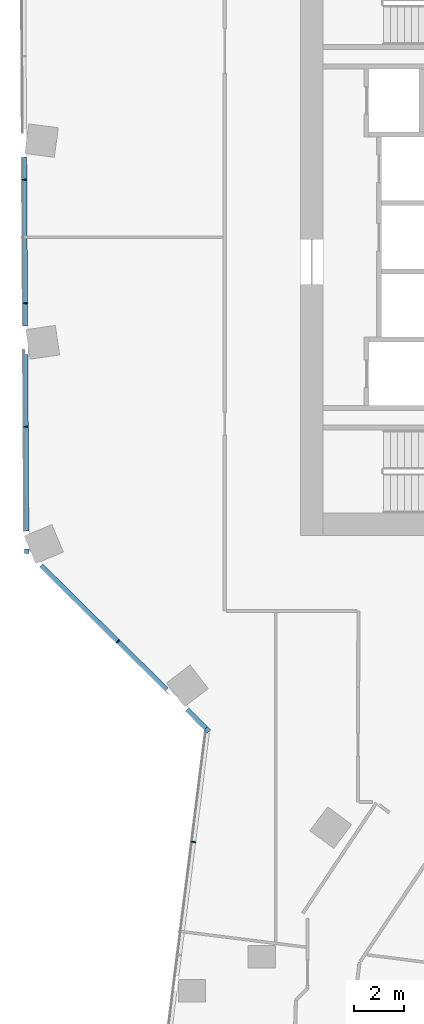
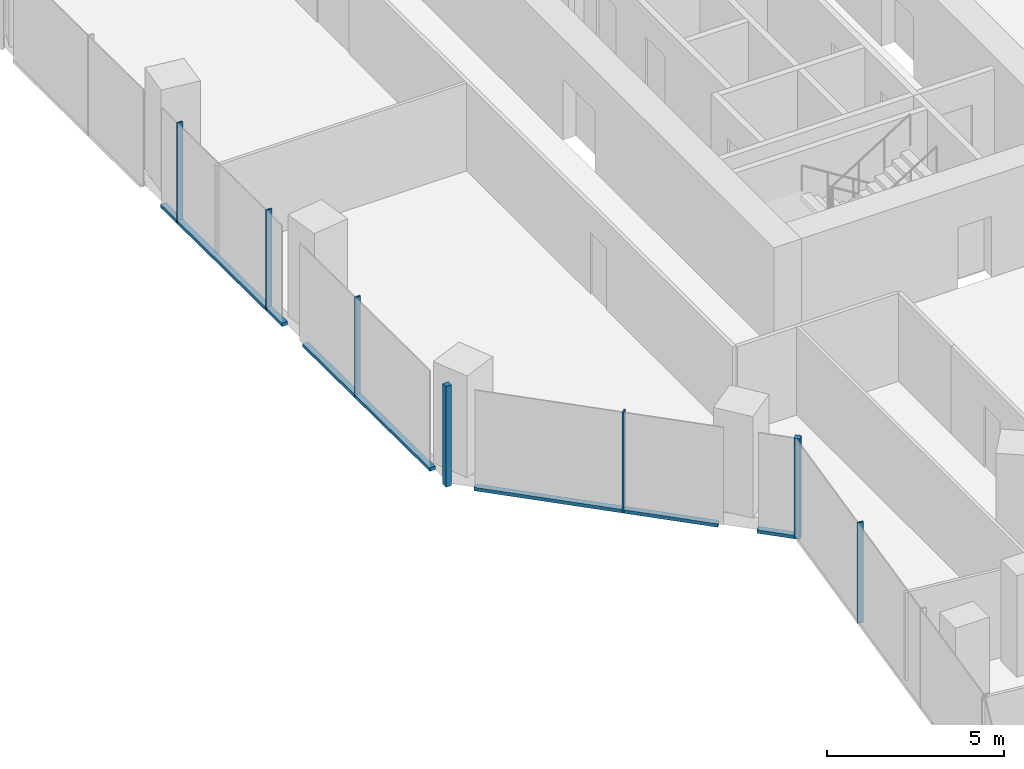
# One storey, part 6 of 27: 11 members, 3 elements without a shape of their own.
"""IFC4 building model written with IfcOpenShell, lengths in metres."""

from ifc_helpers import new_model, si_unit, direction, frame, origin, origin_2d, place, context, subcontext, project, spatial, rectangle, extrude, material, material_profile, profile_set, type_object, element, aggregate, save


model = new_model("IFC4")

# Units and contexts
model_context = context("Model", 3, precision=1e-05, world=origin(), true_north=direction((0.0, 1.0)))
body_context = subcontext(model_context, "Body", "Model", "MODEL_VIEW")
ifc_project = project(units=[si_unit("LENGTHUNIT", "METRE"), si_unit("AREAUNIT", "SQUARE_METRE"), si_unit("VOLUMEUNIT", "CUBIC_METRE"), si_unit("PLANEANGLEUNIT", "RADIAN"), si_unit("MASSUNIT", "GRAM", prefix="KILO")], contexts=[model_context])

# Site, building, storey
site_placement = place(None, origin())
site = spatial("IfcSite", under=ifc_project, at=site_placement, CompositionType="ELEMENT")
building_placement = place(site_placement, origin())
building = spatial("IfcBuilding", under=site, at=building_placement, Name="Orlundy Tower", CompositionType="ELEMENT")
storey_placement = place(building_placement, frame((0.0, 0.0, 199.10009765625)))
storey = spatial("IfcBuildingStorey", under=building, at=storey_placement, Name="L52", CompositionType="ELEMENT", Elevation=199.10009765625)

# Curtain wall, member
ifc_material_1 = material(Name="Aluminium bronze anodised", Category="aluminium")
curtain_wall_type = type_object("IfcCurtainWallType", Name="CW1 wall", PredefinedType="NOTDEFINED", material=ifc_material_1)
curtain_wall_1_placement = place(storey_placement, origin())
curtain_wall_1 = element("IfcCurtainWall", 1, at=curtain_wall_1_placement, inside=storey, type_object=curtain_wall_type, Name="CW1 run 01", PredefinedType="NOTDEFINED")
ifc_material_2 = material(Name="Aluminium bronze anodised", Category="aluminium")
ifc_material_profile_1 = material_profile(ifc_material_2, rectangle(XDim=0.179931640625, YDim=0.179931640625, at=origin_2d()), Name="CW1 corner post 180x180")
ifc_profile_set_1 = profile_set([ifc_material_profile_1], Name="Aluminium bronze anodised")
member_type_1 = type_object("IfcMemberType", Name="CW1 corner post 180x180", PredefinedType="MULLION", material=ifc_profile_set_1)
member_1_placement = place(storey_placement, frame((-22.741943359375, -19.829833984375, -0.420166015625), z_axis=(0.0, 0.0, 1.0), x_axis=(-0.702991811789, -0.711197941896, 0.0)))
member_1 = element("IfcMember", 2, at=member_1_placement, type_object=member_type_1, Name="CW1 mullion 7", PredefinedType="MULLION", context=body_context, shape_type="SweptSolid", body=[
    extrude(rectangle(XDim=0.179931640625, YDim=0.179931640625, at=origin_2d()), origin(), (0.0, 0.0, 1.0), 3.469970703125),
])

curtain_wall_2_placement = place(storey_placement, origin())
curtain_wall_2 = element("IfcCurtainWall", 3, at=curtain_wall_2_placement, inside=storey, type_object=curtain_wall_type, Name="CW1 run 02", PredefinedType="NOTDEFINED")
member_2_placement = place(storey_placement, frame((-30.016845703125, -12.638916015625, -0.420166015625), z_axis=(0.0, 0.0, 1.0), x_axis=(-0.999982980873, -0.005834206419, 0.0)))
member_2 = element("IfcMember", 4, at=member_2_placement, type_object=member_type_1, Name="CW1 mullion 9", PredefinedType="MULLION", context=body_context, shape_type="SweptSolid", body=[
    extrude(rectangle(XDim=0.179931640625, YDim=0.179931640625, at=origin_2d()), origin(), (0.0, 0.0, 1.0), 3.469970703125),
])

curtain_wall_3_placement = place(storey_placement, origin())
curtain_wall_3 = element("IfcCurtainWall", 5, at=curtain_wall_3_placement, inside=storey, type_object=curtain_wall_type, Name="CW1 run 00", PredefinedType="NOTDEFINED")
ifc_material_3 = material(Name="Aluminium bronze anodised", Category="aluminium")
ifc_material_profile_2 = material_profile(ifc_material_3, rectangle(XDim=0.179931640625, YDim=0.050048828125, at=origin_2d()), Name="CW1 mullion 50x180")
ifc_profile_set_2 = profile_set([ifc_material_profile_2], Name="Aluminium bronze anodised")
member_type_2 = type_object("IfcMemberType", Name="CW1 mullion 50x180", PredefinedType="MULLION", material=ifc_profile_set_2)
member_3_placement = place(storey_placement, frame((-23.308837890625, -24.338623046875, -0.420166015625), z_axis=(0.0, 0.0, 1.0), x_axis=(-0.992186526754, 0.124763360518, 0.0)))
member_3 = element("IfcMember", 6, at=member_3_placement, type_object=member_type_2, Name="CW1 mullion 6", PredefinedType="MULLION", context=body_context, shape_type="SweptSolid", body=[
    extrude(rectangle(XDim=0.179931640625, YDim=0.050048828125, at=origin_2d()), origin(), (0.0, 0.0, 1.0), 3.469970703125),
])
aggregate(curtain_wall_3, [member_3])

# Member
member_4_placement = place(storey_placement, frame((-26.350341796875, -16.262939453125, -0.420166015625), z_axis=(0.0, 0.0, 1.0), x_axis=(-0.702991811789, -0.711197941896, 0.0)))
member_4 = element("IfcMember", 7, at=member_4_placement, type_object=member_type_2, Name="CW1 mullion 8", PredefinedType="MULLION", context=body_context, shape_type="SweptSolid", body=[
    extrude(rectangle(XDim=0.179931640625, YDim=0.050048828125, at=origin_2d()), origin(), (0.0, 0.0, 1.0), 3.469970703125),
])

member_5_placement = place(storey_placement, frame((-30.0458984375, -7.630859375, -0.420166015625), z_axis=(0.0, 0.0, 1.0), x_axis=(-0.999982980873, -0.005834206419, 0.0)))
member_5 = element("IfcMember", 8, at=member_5_placement, type_object=member_type_2, Name="CW1 mullion 10", PredefinedType="MULLION", context=body_context, shape_type="SweptSolid", body=[
    extrude(rectangle(XDim=0.179931640625, YDim=0.050048828125, at=origin_2d()), origin(), (0.0, 0.0, 1.0), 3.469970703125),
])

member_6_placement = place(storey_placement, frame((-30.074951171875, -2.660400390625, -0.420166015625), z_axis=(0.0, 0.0, 1.0), x_axis=(-0.999982980873, -0.005834206419, 0.0)))
member_6 = element("IfcMember", 9, at=member_6_placement, type_object=member_type_2, Name="CW1 mullion 11", PredefinedType="MULLION", context=body_context, shape_type="SweptSolid", body=[
    extrude(rectangle(XDim=0.179931640625, YDim=0.050048828125, at=origin_2d()), origin(), (0.0, 0.0, 1.0), 3.469970703125),
])

member_7_placement = place(storey_placement, frame((-30.10400390625, 2.310302734375, -0.420166015625), z_axis=(0.0, 0.0, 1.0), x_axis=(-0.999982980873, -0.005834206419, 0.0)))
member_7 = element("IfcMember", 10, at=member_7_placement, type_object=member_type_2, Name="CW1 mullion 12", PredefinedType="MULLION", context=body_context, shape_type="SweptSolid", body=[
    extrude(rectangle(XDim=0.179931640625, YDim=0.050048828125, at=origin_2d()), origin(), (0.0, 0.0, 1.0), 3.469970703125),
])

ifc_material_4 = material(Name="Aluminium bronze anodised", Category="aluminium")
ifc_material_profile_3 = material_profile(ifc_material_4, rectangle(XDim=0.179931640625, YDim=0.1201171875, at=origin_2d()), Name="CW1 transom 180x120")
ifc_profile_set_3 = profile_set([ifc_material_profile_3], Name="Aluminium bronze anodised")
member_type_3 = type_object("IfcMemberType", Name="CW1 transom 180x120", PredefinedType="USERDEFINED", material=ifc_profile_set_3)
member_8_placement = place(storey_placement, frame((-22.805908203125, -19.7666015625, -0.360107421875), z_axis=(-0.711188757581, 0.703001103193, 0.0), x_axis=(-0.703001103193, -0.711188757581, 0.0)))
member_8 = element("IfcMember", 11, at=member_8_placement, type_object=member_type_3, Name="CW1 transom", ObjectType="TRANSOM", PredefinedType="USERDEFINED", context=body_context, shape_type="SweptSolid", body=[
    extrude(rectangle(XDim=0.179931640625, YDim=0.1201171875, at=origin_2d()), origin(), (0.0, 0.0, 1.0), 1.073486328125),
])

member_9_placement = place(storey_placement, frame((-24.38623046875, -18.204345703125, -0.360107421875), z_axis=(-0.711200782935, 0.702988937575, 0.0), x_axis=(-0.702988937575, -0.711200782935, 0.0)))
member_9 = element("IfcMember", 12, at=member_9_placement, type_object=member_type_3, Name="CW1 transom", ObjectType="TRANSOM", PredefinedType="USERDEFINED", context=body_context, shape_type="SweptSolid", body=[
    extrude(rectangle(XDim=0.179931640625, YDim=0.1201171875, at=origin_2d()), origin(), (0.0, 0.0, 1.0), 7.10546875),
])

aggregate(curtain_wall_1, [member_1, member_4, member_8, member_9])

member_10_placement = place(storey_placement, frame((-30.021484375, -11.826904296875, -0.360107421875), z_axis=(-0.005841021852, 0.999982941086, 0.0), x_axis=(-0.999982941086, -0.005841021852, 0.0)))
member_10 = element("IfcMember", 13, at=member_10_placement, type_object=member_type_3, Name="CW1 transom", ObjectType="TRANSOM", PredefinedType="USERDEFINED", context=body_context, shape_type="SweptSolid", body=[
    extrude(rectangle(XDim=0.179931640625, YDim=0.1201171875, at=origin_2d()), origin(), (0.0, 0.0, 1.0), 7.10546875),
])

member_11_placement = place(storey_placement, frame((-30.069580078125, -3.572265625, -0.360107421875), z_axis=(-0.005856888404, 0.999982848282, 0.0), x_axis=(-0.999982848282, -0.005856888404, 0.0)))
member_11 = element("IfcMember", 14, at=member_11_placement, type_object=member_type_3, Name="CW1 transom", ObjectType="TRANSOM", PredefinedType="USERDEFINED", context=body_context, shape_type="SweptSolid", body=[
    extrude(rectangle(XDim=0.179931640625, YDim=0.1201171875, at=origin_2d()), origin(), (0.0, 0.0, 1.0), 6.79443359375),
])

aggregate(curtain_wall_2, [member_2, member_5, member_6, member_7, member_10, member_11])

save(model, "model.ifc")
